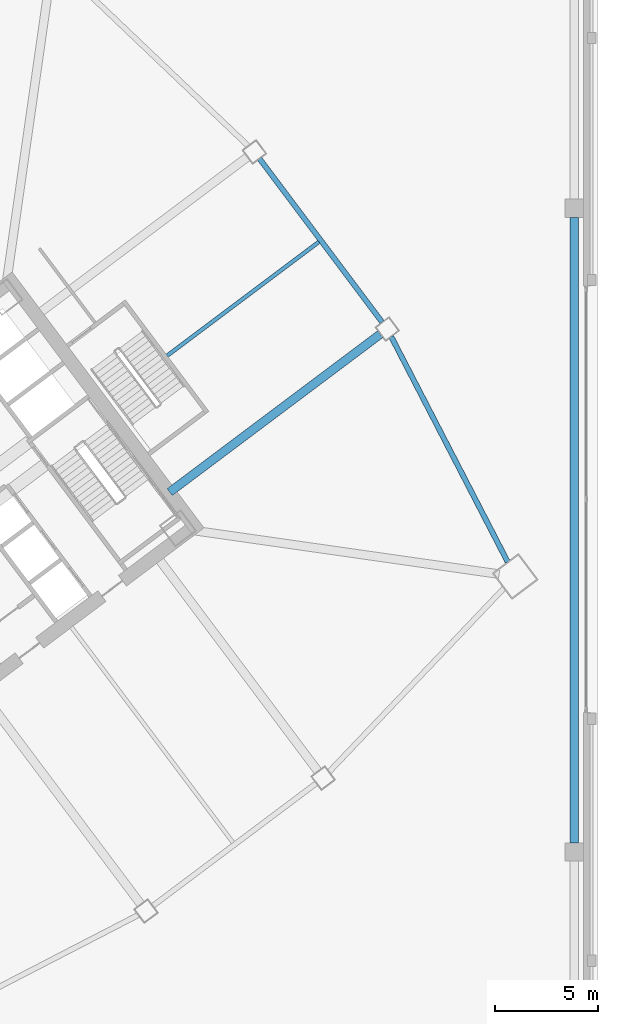
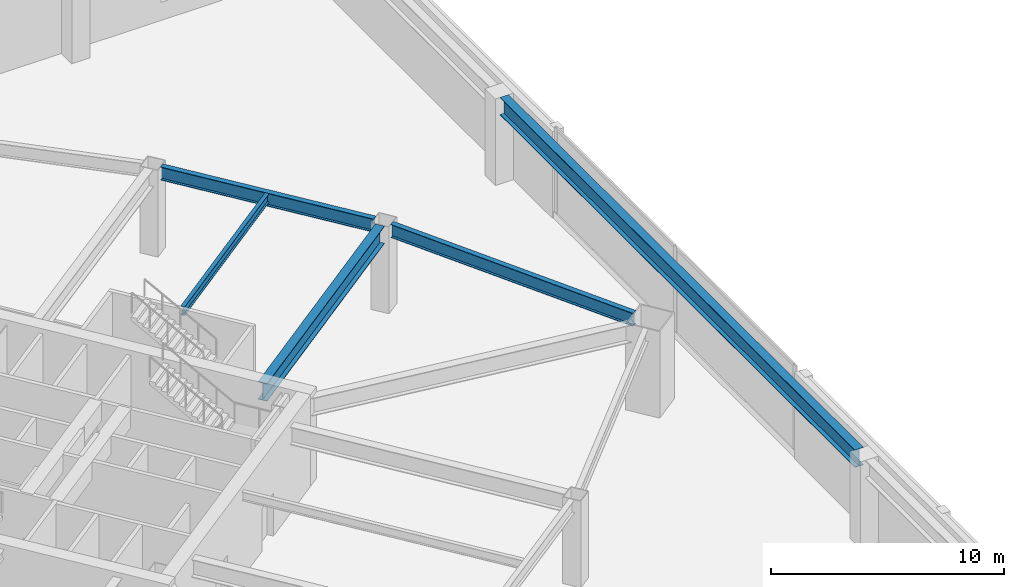
# One storey, part 27 of 44: 5 beams.
"""IFC4 building model written with IfcOpenShell, lengths in metres."""

from ifc_helpers import new_model, si_unit, direction, frame, origin, origin_2d, place, context, subcontext, project, spatial, i_section, extrude, material, material_profile, profile_set, type_object, element, save


model = new_model("IFC4")

# Units and contexts
model_context = context("Model", 3, precision=1e-05, world=origin(), true_north=direction((0.0, 1.0)))
body_context = subcontext(model_context, "Body", "Model", "MODEL_VIEW")
ifc_project = project(units=[si_unit("LENGTHUNIT", "METRE"), si_unit("AREAUNIT", "SQUARE_METRE"), si_unit("VOLUMEUNIT", "CUBIC_METRE"), si_unit("PLANEANGLEUNIT", "RADIAN"), si_unit("MASSUNIT", "GRAM", prefix="KILO")], contexts=[model_context])

# Site, building, storey
site_placement = place(None, origin())
site = spatial("IfcSite", under=ifc_project, at=site_placement, CompositionType="ELEMENT")
building_placement = place(site_placement, origin())
building = spatial("IfcBuilding", under=site, at=building_placement, Name="Tashvorn Skyway Center", CompositionType="ELEMENT")
storey_placement = place(building_placement, frame((0.0, 0.0, 5.39990234375)))
storey = spatial("IfcBuildingStorey", under=building, at=storey_placement, Name="L01", CompositionType="ELEMENT", Elevation=5.39990234375)

# Beams
ifc_material_1 = material(Name="Steel ASTM A913 Grade 65", Category="steel")
ifc_material_profile_1 = material_profile(ifc_material_1, i_section(OverallWidth=0.4189453125, OverallDepth=0.927001953125, WebThickness=0.019287109375, FlangeThickness=0.031982421875, at=origin_2d()), Name="W36X231")
ifc_profile_set_1 = profile_set([ifc_material_profile_1], Name="Steel ASTM A913 Grade 65")
beam_type_1 = type_object("IfcBeamType", Name="BM-BEAM-W36X231", PredefinedType="BEAM", material=ifc_profile_set_1)
beam_1_placement = place(storey_placement, frame((133.743896484375, 40.05810546875, 4.07666015625), z_axis=(-0.799986320265, -0.600018239213, 0.0), x_axis=(0.600018239213, -0.799986320265, 0.0)))
element("IfcBeam", 1, at=beam_1_placement, inside=storey, type_object=beam_type_1, Name="Tower 2 L01 Primary Floor Girder FC-E1", PredefinedType="BEAM", context=body_context, shape_type="SweptSolid", body=[
    extrude(i_section(OverallWidth=0.4189453125, OverallDepth=0.927001953125, WebThickness=0.019287109375, FlangeThickness=0.031982421875, at=origin_2d()), origin(), (0.0, 0.0, 1.0), 12.849853515625),
])
beam_2_placement = place(storey_placement, frame((143.199951171875, 15.2451171875, 4.07666015625), z_axis=(0.0, 1.0, 0.0), x_axis=(-1.0, 0.0, 0.0)))
element("IfcBeam", 2, at=beam_2_placement, inside=storey, type_object=beam_type_1, Name="L01 North-South Podium Girder 06-M", PredefinedType="BEAM", context=body_context, shape_type="SweptSolid", body=[
    extrude(i_section(OverallWidth=0.4189453125, OverallDepth=0.927001953125, WebThickness=0.019287109375, FlangeThickness=0.031982421875, at=origin_2d()), origin(), (0.0, 0.0, 1.0), 30.509765625),
])
ifc_material_2 = material(Name="Steel ASTM A992 Grade 50", Category="steel")
ifc_material_profile_2 = material_profile(ifc_material_2, i_section(OverallWidth=0.19091796875, OverallDepth=0.4599609375, WebThickness=0.010009765625, FlangeThickness=0.01611328125, at=origin_2d()), Name="W18X55")
ifc_profile_set_2 = profile_set([ifc_material_profile_2], Name="Steel ASTM A992 Grade 50")
beam_type_2 = type_object("IfcBeamType", Name="BM-JOIST-W18X55", PredefinedType="JOIST", material=ifc_profile_set_2)
beam_3_placement = place(storey_placement, frame((123.3359375, 39.001953125, 4.31005859375), z_axis=(0.799990508532, 0.600012655082, 0.0), x_axis=(-0.600012655082, 0.799990508532, 0.0)))
element("IfcBeam", 3, at=beam_3_placement, inside=storey, type_object=beam_type_2, Name="Tower 2 L01 Secondary Composite Joist JE", PredefinedType="JOIST", context=body_context, shape_type="SweptSolid", body=[
    extrude(i_section(OverallWidth=0.19091796875, OverallDepth=0.4599609375, WebThickness=0.010009765625, FlangeThickness=0.01611328125, at=origin_2d()), origin(), (0.0, 0.0, 1.0), 9.260009765625),
])
ifc_material_profile_3 = material_profile(ifc_material_2, i_section(OverallWidth=0.256103515625, OverallDepth=0.693115234375, WebThickness=0.014404296875, FlangeThickness=0.023681640625, at=origin_2d()), Name="W27X114")
ifc_profile_set_3 = profile_set([ifc_material_profile_3], Name="Steel ASTM A992 Grade 50")
beam_type_3 = type_object("IfcBeamType", Name="BM-SPANDREL-W27X114", PredefinedType="SPANDREL", material=ifc_profile_set_3)
beam_4_placement = place(storey_placement, frame((139.954833984375, 28.9462890625, 4.193603515625), z_axis=(-0.459233413919, 0.888315637339, 0.0), x_axis=(-0.888315637339, -0.459233413919, 0.0)))
element("IfcBeam", 4, at=beam_4_placement, inside=storey, type_object=beam_type_3, Name="Tower 2 L01 Spandrel Beam 04", PredefinedType="SPANDREL", context=body_context, shape_type="SweptSolid", body=[
    extrude(i_section(OverallWidth=0.256103515625, OverallDepth=0.693115234375, WebThickness=0.014404296875, FlangeThickness=0.023681640625, at=origin_2d()), origin(), (0.0, 0.0, 1.0), 12.37255859375),
])
beam_5_placement = place(storey_placement, frame((133.827880859375, 40.64599609375, 4.193603515625), z_axis=(-0.599988234018, 0.800008824351, 0.0), x_axis=(-0.800008824351, -0.599988234018, 0.0)))
element("IfcBeam", 5, at=beam_5_placement, inside=storey, type_object=beam_type_3, Name="Tower 2 L01 Spandrel Beam 05", PredefinedType="SPANDREL", context=body_context, shape_type="SweptSolid", body=[
    extrude(i_section(OverallWidth=0.256103515625, OverallDepth=0.693115234375, WebThickness=0.014404296875, FlangeThickness=0.023681640625, at=origin_2d()), origin(), (0.0, 0.0, 1.0), 9.9599609375),
])

save(model, "model.ifc")
